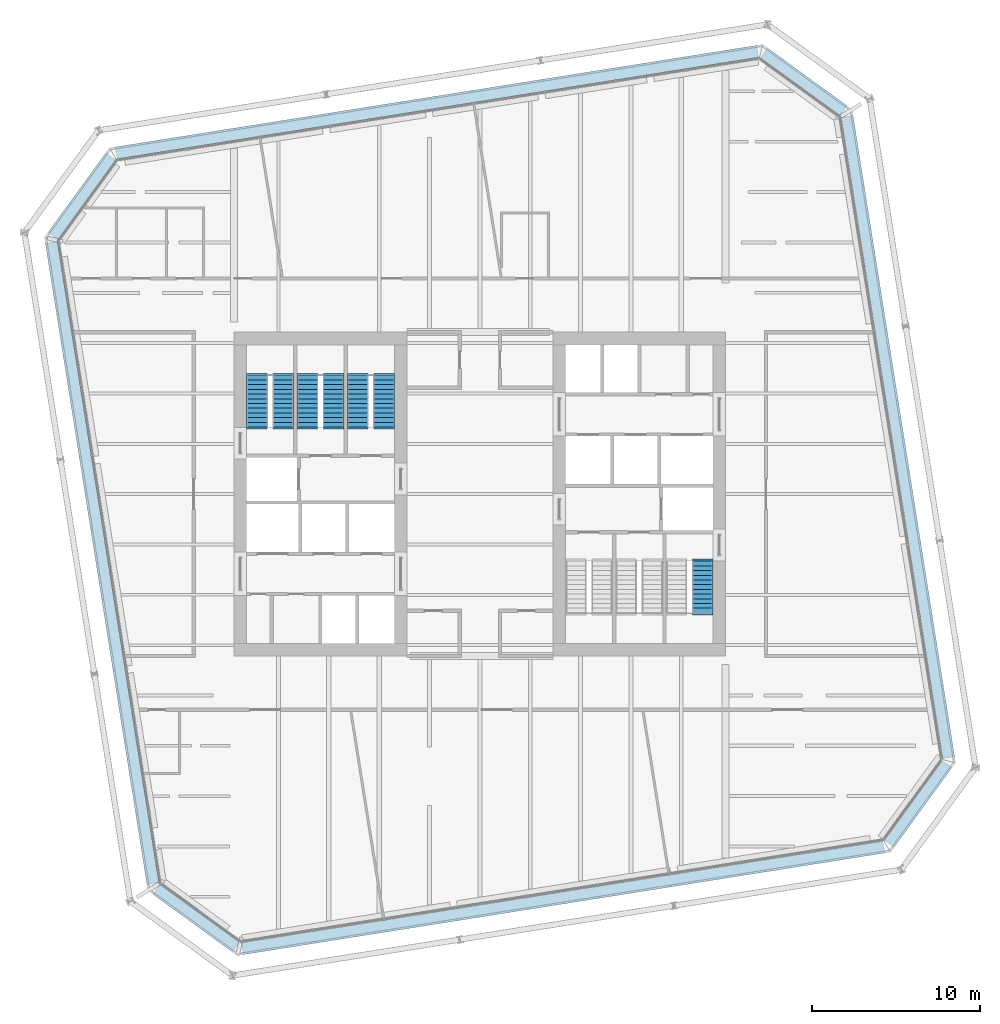
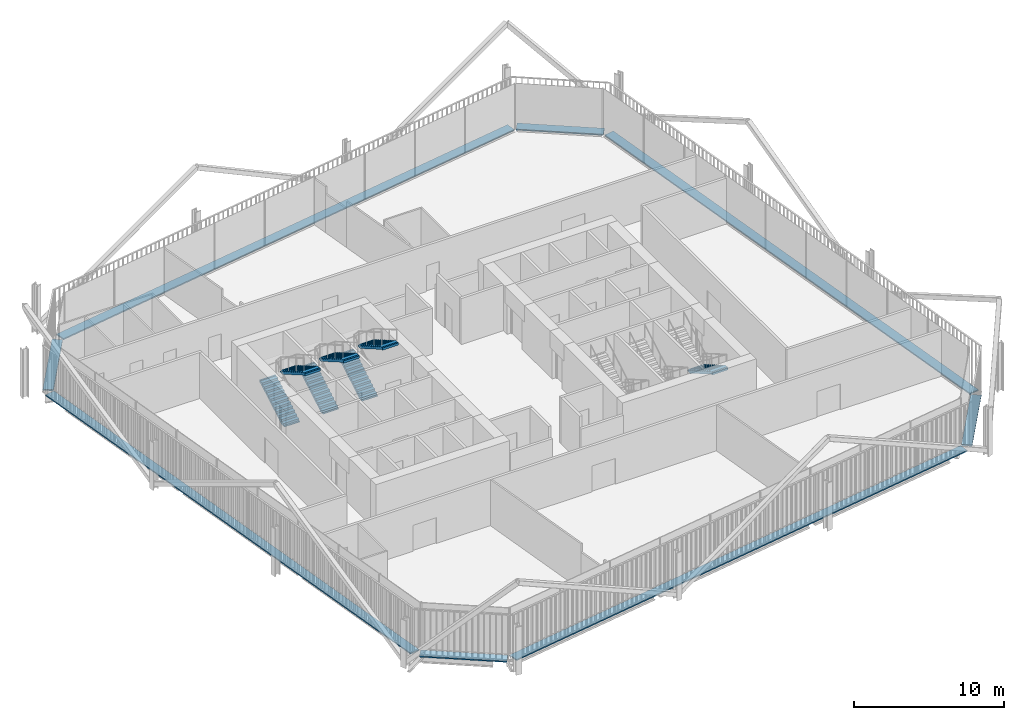
# One storey, part 18 of 19: 8 discrete accessories, 7 stair flights, 4 elements without a shape of their own.
"""IFC4 building model written with IfcOpenShell, lengths in metres."""

from ifc_helpers import new_model, si_unit, direction, frame, origin, origin_2d, place, context, subcontext, project, spatial, polyline, rectangle, outline, extrude, material, type_object, element, aggregate, save


model = new_model("IFC4")

# Units and contexts
model_context = context("Model", 3, precision=1e-05, world=origin(), true_north=direction((0.0, 1.0)))
body_context = subcontext(model_context, "Body", "Model", "MODEL_VIEW")
ifc_project = project(units=[si_unit("LENGTHUNIT", "METRE"), si_unit("AREAUNIT", "SQUARE_METRE"), si_unit("VOLUMEUNIT", "CUBIC_METRE"), si_unit("PLANEANGLEUNIT", "RADIAN"), si_unit("MASSUNIT", "GRAM", prefix="KILO")], contexts=[model_context])

# Site, building, storey
site_placement = place(None, origin())
site = spatial("IfcSite", under=ifc_project, at=site_placement, CompositionType="ELEMENT")
building_placement = place(site_placement, origin())
building = spatial("IfcBuilding", under=site, at=building_placement, Name="Millrace Tower", CompositionType="ELEMENT")
storey_placement = place(building_placement, frame((0.0, 0.0, 129.5)))
storey = spatial("IfcBuildingStorey", under=building, at=storey_placement, Name="L28", CompositionType="ELEMENT", Elevation=129.5)

# Stair, stair flights
ifc_material_1 = material(Name="Concrete C35", Category="concrete")
stair_type = type_object("IfcStairType", Name="Exit stair", PredefinedType="HALF_TURN_STAIR", material=ifc_material_1)
placement = place(storey_placement, origin())
stair_1 = element("IfcStair", 1, at=placement, inside=storey, type_object=stair_type, Name="Stair 1 W L28", PredefinedType="HALF_TURN_STAIR")
ifc_material_2 = material(Name="Concrete C35", Category="concrete")
stair_flight_type = type_object("IfcStairFlightType", Name="Exit stair flight", PredefinedType="STRAIGHT", material=ifc_material_2)
stair_flight_1_placement = place(storey_placement, frame((-13.2900390625, 4.0, 0.0), z_axis=(0.0, 0.0, 1.0), x_axis=(0.0, 1.0, 0.0)))
stair_flight_1 = element("IfcStairFlight", 2, at=stair_flight_1_placement, type_object=stair_flight_type, Name="ST12 flight 1", NumberOfRisers=12, NumberOfTreads=11, PredefinedType="STRAIGHT", RiserHeight=0.1625, TreadLength=0.28, context=body_context, shape_type="SweptSolid", body=[
    extrude(outline(polyline([(-0.1201171875, -0.0400390625), (-0.1201171875, 0.0), (0.0, 0.0), (0.0, 0.16259765625), (0.280029296875, 0.16259765625), (0.280029296875, 0.324951171875), (0.56005859375, 0.324951171875), (0.56005859375, 0.487548828125), (0.840087890625, 0.487548828125), (0.840087890625, 0.64990234375), (1.1201171875, 0.64990234375), (1.1201171875, 0.8125), (1.39990234375, 0.8125), (1.39990234375, 0.97509765625), (1.679931640625, 0.97509765625), (1.679931640625, 1.137451171875), (1.9599609375, 1.137451171875), (1.9599609375, 1.300048828125), (2.239990234375, 1.300048828125), (2.239990234375, 1.46240234375), (2.52001953125, 1.46240234375), (2.52001953125, 1.625), (2.800048828125, 1.625), (2.800048828125, 1.78759765625), (3.080078125, 1.78759765625), (3.080078125, 1.8076171875), (3.199951171875, 1.8076171875), (3.199951171875, 1.6142578125), (3.080078125, 1.6142578125), (0.298583984375, 0.0), (0.298583984375, -0.0400390625), (-0.1201171875, -0.0400390625)])), frame((0.0, 0.60986328125, 0.0), z_axis=(0.0, -1.0, 0.0), x_axis=(1.0, 0.0, 0.0)), (0.0, 0.0, 1.0), 1.219970703125),
])
stair_flight_2_placement = place(storey_placement, frame((-11.7099609375, 7.080078125, 1.949951171875), z_axis=(0.0, 0.0, 1.0), x_axis=(0.0, -1.0, 0.0)))
stair_flight_2 = element("IfcStairFlight", 3, at=stair_flight_2_placement, type_object=stair_flight_type, Name="ST12 flight 2", NumberOfRisers=12, NumberOfTreads=11, PredefinedType="STRAIGHT", RiserHeight=0.1625, TreadLength=0.28, context=body_context, shape_type="SweptSolid", body=[
    extrude(outline(polyline([(-0.1201171875, -0.0400390625), (-0.1201171875, 0.0), (0.0, 0.0), (0.0, 0.16259765625), (0.280029296875, 0.16259765625), (0.280029296875, 0.324951171875), (0.56005859375, 0.324951171875), (0.56005859375, 0.487548828125), (0.840087890625, 0.487548828125), (0.840087890625, 0.64990234375), (1.1201171875, 0.64990234375), (1.1201171875, 0.8125), (1.39990234375, 0.8125), (1.39990234375, 0.97509765625), (1.679931640625, 0.97509765625), (1.679931640625, 1.137451171875), (1.9599609375, 1.137451171875), (1.9599609375, 1.300048828125), (2.239990234375, 1.300048828125), (2.239990234375, 1.46240234375), (2.52001953125, 1.46240234375), (2.52001953125, 1.625), (2.800048828125, 1.625), (2.800048828125, 1.78759765625), (3.080078125, 1.78759765625), (3.080078125, 1.8076171875), (3.199951171875, 1.8076171875), (3.199951171875, 1.6142578125), (3.080078125, 1.6142578125), (0.298583984375, 0.0), (0.298583984375, -0.0400390625), (-0.1201171875, -0.0400390625)])), frame((0.0, 0.60986328125, 0.0), z_axis=(0.0, -1.0, 0.0), x_axis=(1.0, 0.0, 0.0)), (0.0, 0.0, 1.0), 1.219970703125),
])
aggregate(stair_1, [stair_flight_1, stair_flight_2])

stair_2 = element("IfcStair", 4, at=placement, inside=storey, type_object=stair_type, Name="Stair 2 W L28", PredefinedType="HALF_TURN_STAIR")
stair_flight_3_placement = place(storey_placement, frame((-10.2900390625, 4.0, 0.0), z_axis=(0.0, 0.0, 1.0), x_axis=(0.0, 1.0, 0.0)))
stair_flight_3 = element("IfcStairFlight", 5, at=stair_flight_3_placement, type_object=stair_flight_type, Name="ST12 flight 1", NumberOfRisers=12, NumberOfTreads=11, PredefinedType="STRAIGHT", RiserHeight=0.1625, TreadLength=0.28, context=body_context, shape_type="SweptSolid", body=[
    extrude(outline(polyline([(-0.1201171875, -0.0400390625), (-0.1201171875, 0.0), (0.0, 0.0), (0.0, 0.16259765625), (0.280029296875, 0.16259765625), (0.280029296875, 0.324951171875), (0.56005859375, 0.324951171875), (0.56005859375, 0.487548828125), (0.840087890625, 0.487548828125), (0.840087890625, 0.64990234375), (1.1201171875, 0.64990234375), (1.1201171875, 0.8125), (1.39990234375, 0.8125), (1.39990234375, 0.97509765625), (1.679931640625, 0.97509765625), (1.679931640625, 1.137451171875), (1.9599609375, 1.137451171875), (1.9599609375, 1.300048828125), (2.239990234375, 1.300048828125), (2.239990234375, 1.46240234375), (2.52001953125, 1.46240234375), (2.52001953125, 1.625), (2.800048828125, 1.625), (2.800048828125, 1.78759765625), (3.080078125, 1.78759765625), (3.080078125, 1.8076171875), (3.199951171875, 1.8076171875), (3.199951171875, 1.6142578125), (3.080078125, 1.6142578125), (0.298583984375, 0.0), (0.298583984375, -0.0400390625), (-0.1201171875, -0.0400390625)])), frame((0.0, 0.60986328125, 0.0), z_axis=(0.0, -1.0, 0.0), x_axis=(1.0, 0.0, 0.0)), (0.0, 0.0, 1.0), 1.219970703125),
])
stair_flight_4_placement = place(storey_placement, frame((-8.7099609375, 7.080078125, 1.949951171875), z_axis=(0.0, 0.0, 1.0), x_axis=(0.0, -1.0, 0.0)))
stair_flight_4 = element("IfcStairFlight", 6, at=stair_flight_4_placement, type_object=stair_flight_type, Name="ST12 flight 2", NumberOfRisers=12, NumberOfTreads=11, PredefinedType="STRAIGHT", RiserHeight=0.1625, TreadLength=0.28, context=body_context, shape_type="SweptSolid", body=[
    extrude(outline(polyline([(-0.1201171875, -0.0400390625), (-0.1201171875, 0.0), (0.0, 0.0), (0.0, 0.16259765625), (0.280029296875, 0.16259765625), (0.280029296875, 0.324951171875), (0.56005859375, 0.324951171875), (0.56005859375, 0.487548828125), (0.840087890625, 0.487548828125), (0.840087890625, 0.64990234375), (1.1201171875, 0.64990234375), (1.1201171875, 0.8125), (1.39990234375, 0.8125), (1.39990234375, 0.97509765625), (1.679931640625, 0.97509765625), (1.679931640625, 1.137451171875), (1.9599609375, 1.137451171875), (1.9599609375, 1.300048828125), (2.239990234375, 1.300048828125), (2.239990234375, 1.46240234375), (2.52001953125, 1.46240234375), (2.52001953125, 1.625), (2.800048828125, 1.625), (2.800048828125, 1.78759765625), (3.080078125, 1.78759765625), (3.080078125, 1.8076171875), (3.199951171875, 1.8076171875), (3.199951171875, 1.6142578125), (3.080078125, 1.6142578125), (0.298583984375, 0.0), (0.298583984375, -0.0400390625), (-0.1201171875, -0.0400390625)])), frame((0.0, 0.60986328125, 0.0), z_axis=(0.0, -1.0, 0.0), x_axis=(1.0, 0.0, 0.0)), (0.0, 0.0, 1.0), 1.219970703125),
])
aggregate(stair_2, [stair_flight_3, stair_flight_4])

stair_3 = element("IfcStair", 7, at=placement, inside=storey, type_object=stair_type, Name="Stair 3 W L28", PredefinedType="HALF_TURN_STAIR")
stair_flight_5_placement = place(storey_placement, frame((-7.2900390625, 4.0, 0.0), z_axis=(0.0, 0.0, 1.0), x_axis=(0.0, 1.0, 0.0)))
stair_flight_5 = element("IfcStairFlight", 8, at=stair_flight_5_placement, type_object=stair_flight_type, Name="ST12 flight 1", NumberOfRisers=12, NumberOfTreads=11, PredefinedType="STRAIGHT", RiserHeight=0.1625, TreadLength=0.28, context=body_context, shape_type="SweptSolid", body=[
    extrude(outline(polyline([(-0.1201171875, -0.0400390625), (-0.1201171875, 0.0), (0.0, 0.0), (0.0, 0.16259765625), (0.280029296875, 0.16259765625), (0.280029296875, 0.324951171875), (0.56005859375, 0.324951171875), (0.56005859375, 0.487548828125), (0.840087890625, 0.487548828125), (0.840087890625, 0.64990234375), (1.1201171875, 0.64990234375), (1.1201171875, 0.8125), (1.39990234375, 0.8125), (1.39990234375, 0.97509765625), (1.679931640625, 0.97509765625), (1.679931640625, 1.137451171875), (1.9599609375, 1.137451171875), (1.9599609375, 1.300048828125), (2.239990234375, 1.300048828125), (2.239990234375, 1.46240234375), (2.52001953125, 1.46240234375), (2.52001953125, 1.625), (2.800048828125, 1.625), (2.800048828125, 1.78759765625), (3.080078125, 1.78759765625), (3.080078125, 1.8076171875), (3.199951171875, 1.8076171875), (3.199951171875, 1.6142578125), (3.080078125, 1.6142578125), (0.298583984375, 0.0), (0.298583984375, -0.0400390625), (-0.1201171875, -0.0400390625)])), frame((0.0, 0.60986328125, 0.0), z_axis=(0.0, -1.0, 0.0), x_axis=(1.0, 0.0, 0.0)), (0.0, 0.0, 1.0), 1.219970703125),
])
stair_flight_6_placement = place(storey_placement, frame((-5.7099609375, 7.080078125, 1.949951171875), z_axis=(0.0, 0.0, 1.0), x_axis=(0.0, -1.0, 0.0)))
stair_flight_6 = element("IfcStairFlight", 9, at=stair_flight_6_placement, type_object=stair_flight_type, Name="ST12 flight 2", NumberOfRisers=12, NumberOfTreads=11, PredefinedType="STRAIGHT", RiserHeight=0.1625, TreadLength=0.28, context=body_context, shape_type="SweptSolid", body=[
    extrude(outline(polyline([(-0.1201171875, -0.0400390625), (-0.1201171875, 0.0), (0.0, 0.0), (0.0, 0.16259765625), (0.280029296875, 0.16259765625), (0.280029296875, 0.324951171875), (0.56005859375, 0.324951171875), (0.56005859375, 0.487548828125), (0.840087890625, 0.487548828125), (0.840087890625, 0.64990234375), (1.1201171875, 0.64990234375), (1.1201171875, 0.8125), (1.39990234375, 0.8125), (1.39990234375, 0.97509765625), (1.679931640625, 0.97509765625), (1.679931640625, 1.137451171875), (1.9599609375, 1.137451171875), (1.9599609375, 1.300048828125), (2.239990234375, 1.300048828125), (2.239990234375, 1.46240234375), (2.52001953125, 1.46240234375), (2.52001953125, 1.625), (2.800048828125, 1.625), (2.800048828125, 1.78759765625), (3.080078125, 1.78759765625), (3.080078125, 1.8076171875), (3.199951171875, 1.8076171875), (3.199951171875, 1.6142578125), (3.080078125, 1.6142578125), (0.298583984375, 0.0), (0.298583984375, -0.0400390625), (-0.1201171875, -0.0400390625)])), frame((0.0, 0.60986328125, 0.0), z_axis=(0.0, -1.0, 0.0), x_axis=(1.0, 0.0, 0.0)), (0.0, 0.0, 1.0), 1.219970703125),
])
aggregate(stair_3, [stair_flight_5, stair_flight_6])

# Stair, stair flight
stair_4 = element("IfcStair", 10, at=placement, inside=storey, type_object=stair_type, Name="Stair 1 E L28", PredefinedType="HALF_TURN_STAIR")
stair_flight_7_placement = place(storey_placement, frame((13.2900390625, -4.0, 0.0), z_axis=(0.0, 0.0, 1.0), x_axis=(0.0, -1.0, 0.0)))
stair_flight_7 = element("IfcStairFlight", 11, at=stair_flight_7_placement, type_object=stair_flight_type, Name="ST12 flight 1", NumberOfRisers=12, NumberOfTreads=11, PredefinedType="STRAIGHT", RiserHeight=0.1625, TreadLength=0.28, context=body_context, shape_type="SweptSolid", body=[
    extrude(outline(polyline([(-0.1201171875, -0.0400390625), (-0.1201171875, 0.0), (0.0, 0.0), (0.0, 0.16259765625), (0.280029296875, 0.16259765625), (0.280029296875, 0.324951171875), (0.56005859375, 0.324951171875), (0.56005859375, 0.487548828125), (0.840087890625, 0.487548828125), (0.840087890625, 0.64990234375), (1.1201171875, 0.64990234375), (1.1201171875, 0.8125), (1.39990234375, 0.8125), (1.39990234375, 0.97509765625), (1.679931640625, 0.97509765625), (1.679931640625, 1.137451171875), (1.9599609375, 1.137451171875), (1.9599609375, 1.300048828125), (2.239990234375, 1.300048828125), (2.239990234375, 1.46240234375), (2.52001953125, 1.46240234375), (2.52001953125, 1.625), (2.800048828125, 1.625), (2.800048828125, 1.78759765625), (3.080078125, 1.78759765625), (3.080078125, 1.8076171875), (3.199951171875, 1.8076171875), (3.199951171875, 1.6142578125), (3.080078125, 1.6142578125), (0.298583984375, 0.0), (0.298583984375, -0.0400390625), (-0.1201171875, -0.0400390625)])), frame((0.0, 0.60986328125, 0.0), z_axis=(0.0, -1.0, 0.0), x_axis=(1.0, 0.0, 0.0)), (0.0, 0.0, 1.0), 1.219970703125),
])
aggregate(stair_4, [stair_flight_7])

# Discrete accessories
ifc_material_3 = material(Name="Stainless steel ASTM A240 type 316", Category="steel")
discrete_accessory_type = type_object("IfcDiscreteAccessoryType", Name="Thermally broken screen support rail", PredefinedType="BRACKET", material=ifc_material_3)
discrete_accessory_1_placement = place(storey_placement, frame((-16.909423828125, -25.275390625, 0.0), z_axis=(0.0, 0.0, 1.0), x_axis=(0.809016981623, -0.587785269844, 0.0)))
element("IfcDiscreteAccessory", 12, at=discrete_accessory_1_placement, inside=storey, type_object=discrete_accessory_type, Name="Thermally broken screen support rail C-F01 L28 1", PredefinedType="BRACKET", context=body_context, shape_type="SweptSolid", body=[
    extrude(rectangle(XDim=5.868896484375, YDim=0.719970703125, at=origin_2d()), origin(), (0.0, 0.0, 1.0), 0.10009765625),
])
discrete_accessory_2_placement = place(storey_placement, frame((4.9560546875, -24.064453125, 0.0), z_axis=(0.0, 0.0, 1.0), x_axis=(0.98768833929, 0.15643447328, 0.0)))
element("IfcDiscreteAccessory", 13, at=discrete_accessory_2_placement, inside=storey, type_object=discrete_accessory_type, Name="Thermally broken screen support rail C-F02 L28 1", PredefinedType="BRACKET", context=body_context, shape_type="SweptSolid", body=[
    extrude(rectangle(XDim=38.699951171875, YDim=0.719970703125, at=origin_2d()), origin(), (0.0, 0.0, 1.0), 0.10009765625),
])
discrete_accessory_3_placement = place(storey_placement, frame((26.12548828125, -18.45947265625, 0.0), z_axis=(0.0, 0.0, 1.0), x_axis=(0.587785269844, 0.809016981623, 0.0)))
element("IfcDiscreteAccessory", 14, at=discrete_accessory_3_placement, inside=storey, type_object=discrete_accessory_type, Name="Thermally broken screen support rail C-F03 L28 1", PredefinedType="BRACKET", context=body_context, shape_type="SweptSolid", body=[
    extrude(rectangle(XDim=5.868896484375, YDim=0.719970703125, at=origin_2d()), origin(), (0.0, 0.0, 1.0), 0.10009765625),
])
discrete_accessory_4_placement = place(storey_placement, frame((24.914306640625, 3.406005859375, 0.0), z_axis=(0.0, 0.0, 1.0), x_axis=(-0.15643447328, 0.98768833929, 0.0)))
element("IfcDiscreteAccessory", 15, at=discrete_accessory_4_placement, inside=storey, type_object=discrete_accessory_type, Name="Thermally broken screen support rail C-F04 L28 1", PredefinedType="BRACKET", context=body_context, shape_type="SweptSolid", body=[
    extrude(rectangle(XDim=38.699951171875, YDim=0.719970703125, at=origin_2d()), origin(), (0.0, 0.0, 1.0), 0.10009765625),
])
discrete_accessory_5_placement = place(storey_placement, frame((19.309326171875, 24.575439453125, 0.0), z_axis=(0.0, 0.0, 1.0), x_axis=(-0.809016981623, 0.587785269844, 0.0)))
element("IfcDiscreteAccessory", 16, at=discrete_accessory_5_placement, inside=storey, type_object=discrete_accessory_type, Name="Thermally broken screen support rail C-F05 L28 1", PredefinedType="BRACKET", context=body_context, shape_type="SweptSolid", body=[
    extrude(rectangle(XDim=5.868896484375, YDim=0.719970703125, at=origin_2d()), origin(), (0.0, 0.0, 1.0), 0.10009765625),
])
discrete_accessory_6_placement = place(storey_placement, frame((-2.555908203125, 23.364501953125, 0.0), z_axis=(0.0, 0.0, 1.0), x_axis=(-0.98768833929, -0.15643447328, 0.0)))
element("IfcDiscreteAccessory", 17, at=discrete_accessory_6_placement, inside=storey, type_object=discrete_accessory_type, Name="Thermally broken screen support rail C-F06 L28 1", PredefinedType="BRACKET", context=body_context, shape_type="SweptSolid", body=[
    extrude(rectangle(XDim=38.699951171875, YDim=0.719970703125, at=origin_2d()), origin(), (0.0, 0.0, 1.0), 0.10009765625),
])
discrete_accessory_7_placement = place(storey_placement, frame((-23.725341796875, 17.75927734375, 0.0), z_axis=(0.0, 0.0, 1.0), x_axis=(-0.587785269844, -0.809016981623, 0.0)))
element("IfcDiscreteAccessory", 18, at=discrete_accessory_7_placement, inside=storey, type_object=discrete_accessory_type, Name="Thermally broken screen support rail C-F07 L28 1", PredefinedType="BRACKET", context=body_context, shape_type="SweptSolid", body=[
    extrude(rectangle(XDim=5.868896484375, YDim=0.719970703125, at=origin_2d()), origin(), (0.0, 0.0, 1.0), 0.10009765625),
])
discrete_accessory_8_placement = place(storey_placement, frame((-22.514404296875, -4.10595703125, 0.0), z_axis=(0.0, 0.0, 1.0), x_axis=(0.15643447328, -0.98768833929, 0.0)))
element("IfcDiscreteAccessory", 19, at=discrete_accessory_8_placement, inside=storey, type_object=discrete_accessory_type, Name="Thermally broken screen support rail C-F08 L28 1", PredefinedType="BRACKET", context=body_context, shape_type="SweptSolid", body=[
    extrude(rectangle(XDim=38.699951171875, YDim=0.719970703125, at=origin_2d()), origin(), (0.0, 0.0, 1.0), 0.10009765625),
])

save(model, "model.ifc")
